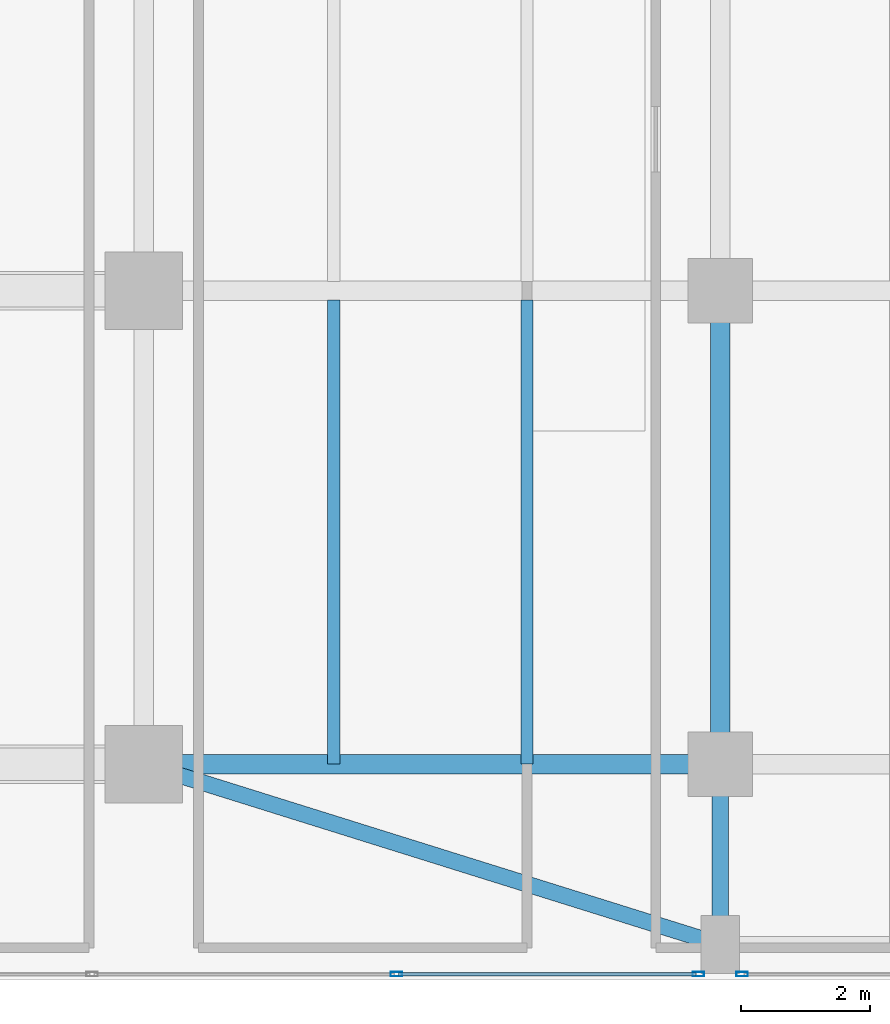
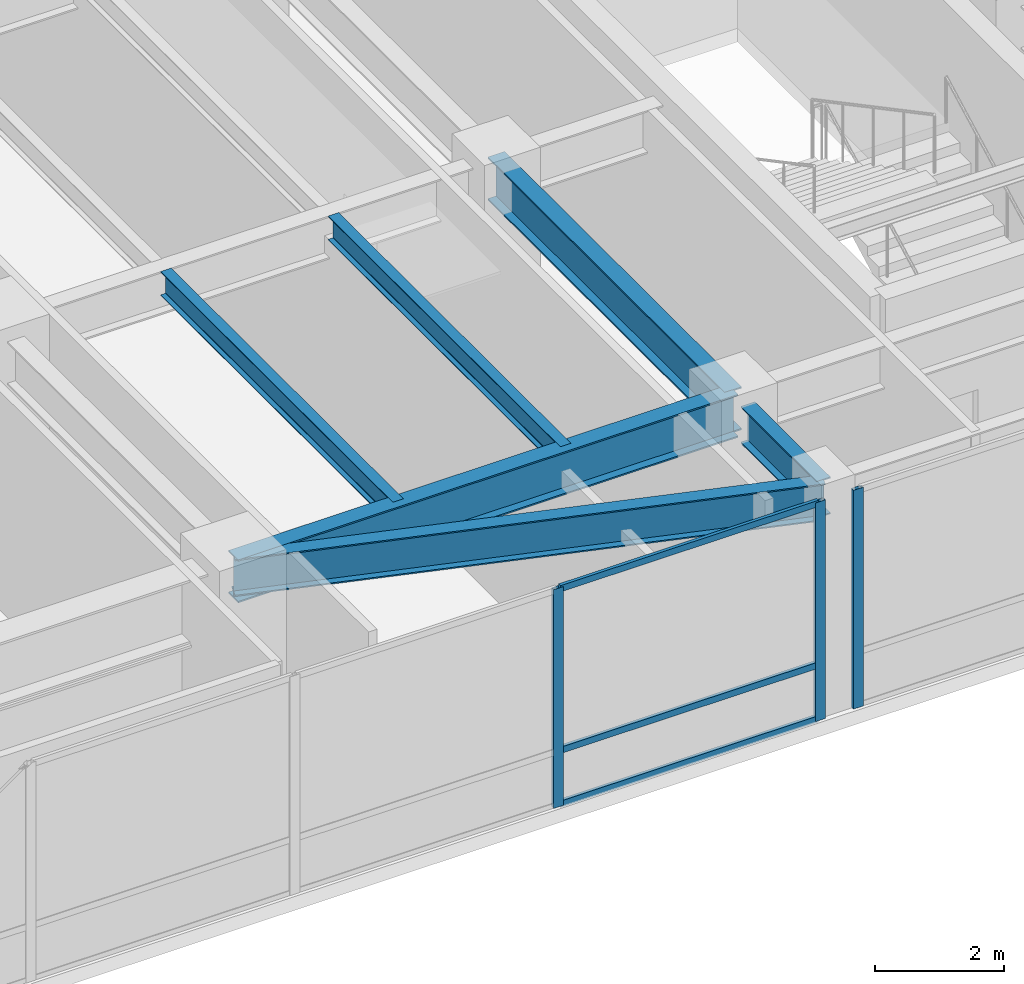
# One storey, part 13 of 27: 6 beams, 6 members, 2 elements without a shape of their own.
"""IFC4 building model written with IfcOpenShell, lengths in metres."""

from ifc_helpers import new_model, si_unit, direction, frame, origin, origin_2d, place, context, subcontext, project, spatial, hollow_rectangle, i_section, extrude, source, transform, mapped, material, layer, layer_set, material_profile, profile_set, type_object, type_shapes, element, aggregate, save


model = new_model("IFC4")

# Units and contexts
model_context = context("Model", 3, precision=1e-05, world=origin(), true_north=direction((0.0, 1.0)))
body_context = subcontext(model_context, "Body", "Model", "MODEL_VIEW")
ifc_project = project(units=[si_unit("LENGTHUNIT", "METRE"), si_unit("AREAUNIT", "SQUARE_METRE"), si_unit("VOLUMEUNIT", "CUBIC_METRE"), si_unit("PLANEANGLEUNIT", "RADIAN"), si_unit("MASSUNIT", "GRAM", prefix="KILO")], contexts=[model_context])

# Site, building, storey
site_placement = place(None, origin())
site = spatial("IfcSite", under=ifc_project, at=site_placement, CompositionType="ELEMENT")
building_placement = place(site_placement, origin())
building = spatial("IfcBuilding", under=site, at=building_placement, Name="Tolvann Quenvar Hotel", CompositionType="ELEMENT")
storey_placement = place(building_placement, frame((0.0, 0.0, 22.39990234375)))
storey = spatial("IfcBuildingStorey", under=building, at=storey_placement, Name="L04", CompositionType="ELEMENT", Elevation=22.39990234375)

# Beams
ifc_material_1 = material(Name="Steel Grade 350", Category="steel")
ifc_material_profile_1 = material_profile(ifc_material_1, i_section(OverallWidth=0.300048828125, OverallDepth=0.81591796875, WebThickness=0.010009765625, FlangeThickness=0.028076171875, at=origin_2d()), Name="800WB192")
ifc_profile_set_1 = profile_set([ifc_material_profile_1], Name="Steel Grade 350")
beam_type_1 = type_object("IfcBeamType", Name="BM_GIRD_800WB192", PredefinedType="BEAM", material=ifc_profile_set_1)
shared_shape_1 = source(origin(), body_context, "Body", "SweptSolid", [
    extrude(i_section(OverallWidth=0.300048828125, OverallDepth=0.81591796875, WebThickness=0.010009765625, FlangeThickness=0.028076171875, at=origin_2d()), origin(), (0.0, 0.0, 1.0), 7.349853515625),
])
beam_1_placement = place(storey_placement, frame((47.199951171875, 0.85009765625, 3.732177734375), z_axis=(0.0, 1.0, 0.0), x_axis=(-1.0, 0.0, 0.0)))
element("IfcBeam", 1, at=beam_1_placement, inside=storey, type_object=beam_type_1, Name="BM-L04-NS-H-0", PredefinedType="BEAM", context=body_context, shape_type="MappedRepresentation", body=[
    mapped(shared_shape_1, transform((0.0, 0.0, 0.0), x_axis=(1.0, 0.0, 0.0), y_axis=(0.0, 1.0, 0.0), z_axis=(0.0, 0.0, 1.0), scale=1.0)),
])
shared_shape_2 = source(origin(), body_context, "Body", "SweptSolid", [
    extrude(i_section(OverallWidth=0.300048828125, OverallDepth=0.81591796875, WebThickness=0.010009765625, FlangeThickness=0.028076171875, at=origin_2d()), origin(), (0.0, 0.0, 1.0), 8.949951171875),
])
type_shapes(beam_type_1, [shared_shape_1, shared_shape_2])
beam_2_placement = place(storey_placement, frame((38.25, 0.85009765625, 3.732177734375), z_axis=(1.0, 0.0, 0.0), x_axis=(0.0, 1.0, 0.0)))
element("IfcBeam", 2, at=beam_2_placement, inside=storey, type_object=beam_type_1, Name="BM-L04-GE1-1", PredefinedType="BEAM", context=body_context, shape_type="MappedRepresentation", body=[
    mapped(shared_shape_2, transform((0.0, 0.0, 0.0), x_axis=(1.0, 0.0, 0.0), y_axis=(0.0, 1.0, 0.0), z_axis=(0.0, 0.0, 1.0), scale=1.0)),
])
ifc_material_profile_2 = material_profile(ifc_material_1, i_section(OverallWidth=0.25, OverallDepth=0.699951171875, WebThickness=0.010009765625, FlangeThickness=0.02392578125, at=origin_2d()), Name="700WB150")
ifc_profile_set_2 = profile_set([ifc_material_profile_2], Name="Steel Grade 350")
beam_type_2 = type_object("IfcBeamType", Name="BM_GIRD_700WB150", PredefinedType="BEAM", material=ifc_profile_set_2)
shared_shape_3 = source(origin(), body_context, "Body", "SweptSolid", [
    extrude(i_section(OverallWidth=0.25, OverallDepth=0.699951171875, WebThickness=0.010009765625, FlangeThickness=0.02392578125, at=origin_2d()), origin(), (0.0, 0.0, 1.0), 2.349853515625),
])
beam_3_placement = place(storey_placement, frame((47.199951171875, -1.949951171875, 3.7900390625), z_axis=(0.0, 1.0, 0.0), x_axis=(-1.0, 0.0, 0.0)))
element("IfcBeam", 3, at=beam_3_placement, inside=storey, type_object=beam_type_2, Name="BM-L04-NSS-H", PredefinedType="BEAM", context=body_context, shape_type="MappedRepresentation", body=[
    mapped(shared_shape_3, transform((0.0, 0.0, 0.0), x_axis=(1.0, 0.0, 0.0), y_axis=(0.0, 1.0, 0.0), z_axis=(0.0, 0.0, 1.0), scale=1.0)),
])
shared_shape_4 = source(origin(), body_context, "Body", "SweptSolid", [
    extrude(i_section(OverallWidth=0.25, OverallDepth=0.699951171875, WebThickness=0.010009765625, FlangeThickness=0.02392578125, at=origin_2d()), origin(), (0.0, 0.0, 1.0), 9.377685546875),
])
type_shapes(beam_type_2, [shared_shape_3, shared_shape_4])
beam_4_placement = place(storey_placement, frame((38.25, 0.85009765625, 3.7900390625), z_axis=(0.954383110647, -0.298584792166, 0.0), x_axis=(0.298584792166, 0.954383110647, 0.0)))
element("IfcBeam", 4, at=beam_4_placement, inside=storey, type_object=beam_type_2, Name="BM-L04-EWS-E0", PredefinedType="BEAM", context=body_context, shape_type="MappedRepresentation", body=[
    mapped(shared_shape_4, transform((0.0, 0.0, 0.0), x_axis=(1.0, 0.0, 0.0), y_axis=(0.0, 1.0, 0.0), z_axis=(0.0, 0.0, 1.0), scale=1.0)),
])
ifc_material_profile_3 = material_profile(ifc_material_1, i_section(OverallWidth=0.18994140625, OverallDepth=0.4541015625, WebThickness=0.008544921875, FlangeThickness=0.0126953125, FilletRadius=0.011474609375, at=origin_2d()), Name="460UB67")
ifc_profile_set_3 = profile_set([ifc_material_profile_3], Name="Steel Grade 350")
beam_type_3 = type_object("IfcBeamType", Name="BM_JOIST_460UB67", PredefinedType="JOIST", material=ifc_profile_set_3)
shared_shape_5 = source(origin(), body_context, "Body", "SweptSolid", [
    extrude(i_section(OverallWidth=0.18994140625, OverallDepth=0.4541015625, WebThickness=0.008544921875, FlangeThickness=0.0126953125, FilletRadius=0.011474609375, at=origin_2d()), origin(), (0.0, 0.0, 1.0), 7.205810546875),
])
type_shapes(beam_type_3, [shared_shape_5])
for number, where, z_axis, x_axis, name in (
    (5, (41.199951171875, 0.85009765625, 3.9130859375), (0.0, 1.0, 0.0), (-1.0, 0.0, 0.0), "BJ-L04-412-8"),
    (6, (44.199951171875, 0.85009765625, 3.9130859375), (0.0, 1.0, 0.0), (-1.0, 0.0, 0.0), "BJ-L04-442-8"),
):
    element("IfcBeam", number, at=place(storey_placement, frame(where, z_axis=z_axis, x_axis=x_axis)), inside=storey, type_object=beam_type_3, Name=name, PredefinedType="JOIST", context=body_context, shape_type="MappedRepresentation", body=[
        mapped(shared_shape_5, transform((0.0, 0.0, 0.0), x_axis=(1.0, 0.0, 0.0), y_axis=(0.0, 1.0, 0.0), z_axis=(0.0, 0.0, 1.0), scale=1.0)),
    ])

# Curtain wall, members
ifc_material_2 = material(Name="Thermally broken anodised architectural aluminium 6063-T6 and laminated low-E glass", Category="aluminium")
ifc_layer = layer(ifc_material_2, 0.179931640625)
ifc_layer_set = layer_set([ifc_layer], Name="Thermally broken anodised architectural aluminium 6063-T6 and laminated low-E glass")
curtain_wall_type = type_object("IfcCurtainWallType", Name="CW_SYS_BALL_02", PredefinedType="USERDEFINED", material=ifc_layer_set)
curtain_wall_1_placement = place(storey_placement, origin())
curtain_wall_1 = element("IfcCurtainWall", 7, at=curtain_wall_1_placement, inside=storey, type_object=curtain_wall_type, Name="Curtain Wall CW-BALL-02 (CWR-L04-E04-S3)", ObjectType="UNITISED CURTAIN WALL", PredefinedType="USERDEFINED")
ifc_material_3 = material(Name="Anodised architectural aluminium 6063-T6 framing", Category="aluminium")
ifc_material_profile_4 = material_profile(ifc_material_3, hollow_rectangle(XDim=0.070068359375, YDim=0.179931640625, WallThickness=0.00390625, at=origin_2d()), Name="180x70x4RHS")
ifc_profile_set_4 = profile_set([ifc_material_profile_4], Name="Anodised architectural aluminium 6063-T6 framing")
member_type_1 = type_object("IfcMemberType", Name="CW_MULL_180x70", PredefinedType="MULLION", material=ifc_profile_set_4)
shared_shape_6 = source(origin(), body_context, "Body", "SweptSolid", [
    extrude(hollow_rectangle(XDim=0.070068359375, YDim=0.179931640625, WallThickness=0.00390625, at=origin_2d()), origin(), (0.0, 0.0, 1.0), 4.14013671875),
])
type_shapes(member_type_1, [shared_shape_6])
member_1_placement = place(storey_placement, frame((42.172119140625, -2.409912109375, 0.0), z_axis=(0.0, 0.0, 1.0), x_axis=(0.0, 1.0, 0.0)))
member_1 = element("IfcMember", 8, at=member_1_placement, type_object=member_type_1, Name="CW-BALL-02 mullion 8", PredefinedType="MULLION", context=body_context, shape_type="MappedRepresentation", body=[
    mapped(shared_shape_6, transform((0.0, 0.0, 0.0), x_axis=(1.0, 0.0, 0.0), y_axis=(0.0, 1.0, 0.0), z_axis=(0.0, 0.0, 1.0), scale=1.0)),
])
member_2_placement = place(storey_placement, frame((46.861083984375, -2.409912109375, 0.0), z_axis=(0.0, 0.0, 1.0), x_axis=(0.0, 1.0, 0.0)))
member_2 = element("IfcMember", 9, at=member_2_placement, type_object=member_type_1, Name="CW-BALL-02 mullion 9", PredefinedType="MULLION", context=body_context, shape_type="MappedRepresentation", body=[
    mapped(shared_shape_6, transform((0.0, 0.0, 0.0), x_axis=(1.0, 0.0, 0.0), y_axis=(0.0, 1.0, 0.0), z_axis=(0.0, 0.0, 1.0), scale=1.0)),
])

# Curtain wall, member
curtain_wall_2_placement = place(storey_placement, origin())
curtain_wall_2 = element("IfcCurtainWall", 10, at=curtain_wall_2_placement, inside=storey, type_object=curtain_wall_type, Name="Curtain Wall CW-BALL-02 (CWR-L04-E04-S4)", ObjectType="UNITISED CURTAIN WALL", PredefinedType="USERDEFINED")
member_3_placement = place(storey_placement, frame((47.5390625, -2.409912109375, 0.0), z_axis=(0.0, 0.0, 1.0), x_axis=(0.0, 1.0, 0.0)))
member_3 = element("IfcMember", 11, at=member_3_placement, type_object=member_type_1, Name="CW-BALL-02 mullion 1", PredefinedType="MULLION", context=body_context, shape_type="MappedRepresentation", body=[
    mapped(shared_shape_6, transform((0.0, 0.0, 0.0), x_axis=(1.0, 0.0, 0.0), y_axis=(0.0, 1.0, 0.0), z_axis=(0.0, 0.0, 1.0), scale=1.0)),
])
aggregate(curtain_wall_2, [member_3])

# Member
ifc_material_profile_5 = material_profile(ifc_material_3, hollow_rectangle(XDim=0.06005859375, YDim=0.1201171875, WallThickness=0.00341796875, at=origin_2d()), Name="120x60x3.5RHS")
ifc_profile_set_5 = profile_set([ifc_material_profile_5], Name="Anodised architectural aluminium 6063-T6 framing")
member_type_2 = type_object("IfcMemberType", Name="CW_TRAN_120x60", PredefinedType="USERDEFINED", material=ifc_profile_set_5)
shared_shape_7 = source(origin(), body_context, "Body", "SweptSolid", [
    extrude(hollow_rectangle(XDim=0.06005859375, YDim=0.1201171875, WallThickness=0.00341796875, at=origin_2d()), origin(), (0.0, 0.0, 1.0), 4.618896484375),
])
type_shapes(member_type_2, [shared_shape_7])
member_4_placement = place(storey_placement, frame((42.20703125, -2.409912109375, 0.030029296875), z_axis=(1.0, 0.0, 0.0), x_axis=(0.0, 1.0, 0.0)))
member_4 = element("IfcMember", 12, at=member_4_placement, type_object=member_type_2, Name="CW-BALL-02 transom 8.1", ObjectType="TRANSOM", PredefinedType="USERDEFINED", context=body_context, shape_type="MappedRepresentation", body=[
    mapped(shared_shape_7, transform((0.0, 0.0, 0.0), x_axis=(1.0, 0.0, 0.0), y_axis=(0.0, 1.0, 0.0), z_axis=(0.0, 0.0, 1.0), scale=1.0)),
])

member_5_placement = place(storey_placement, frame((42.20703125, -2.409912109375, 1.050048828125), z_axis=(1.0, 0.0, 0.0), x_axis=(0.0, 1.0, 0.0)))
member_5 = element("IfcMember", 13, at=member_5_placement, type_object=member_type_2, Name="CW-BALL-02 transom 8.2", ObjectType="TRANSOM", PredefinedType="USERDEFINED", context=body_context, shape_type="MappedRepresentation", body=[
    mapped(shared_shape_7, transform((0.0, 0.0, 0.0), x_axis=(1.0, 0.0, 0.0), y_axis=(0.0, 1.0, 0.0), z_axis=(0.0, 0.0, 1.0), scale=1.0)),
])

member_6_placement = place(storey_placement, frame((42.20703125, -2.409912109375, 4.110107421875), z_axis=(1.0, 0.0, 0.0), x_axis=(0.0, 1.0, 0.0)))
member_6 = element("IfcMember", 14, at=member_6_placement, type_object=member_type_2, Name="CW-BALL-02 transom 8.3", ObjectType="TRANSOM", PredefinedType="USERDEFINED", context=body_context, shape_type="MappedRepresentation", body=[
    mapped(shared_shape_7, transform((0.0, 0.0, 0.0), x_axis=(1.0, 0.0, 0.0), y_axis=(0.0, 1.0, 0.0), z_axis=(0.0, 0.0, 1.0), scale=1.0)),
])

aggregate(curtain_wall_1, [member_1, member_2, member_4, member_5, member_6])

save(model, "model.ifc")
